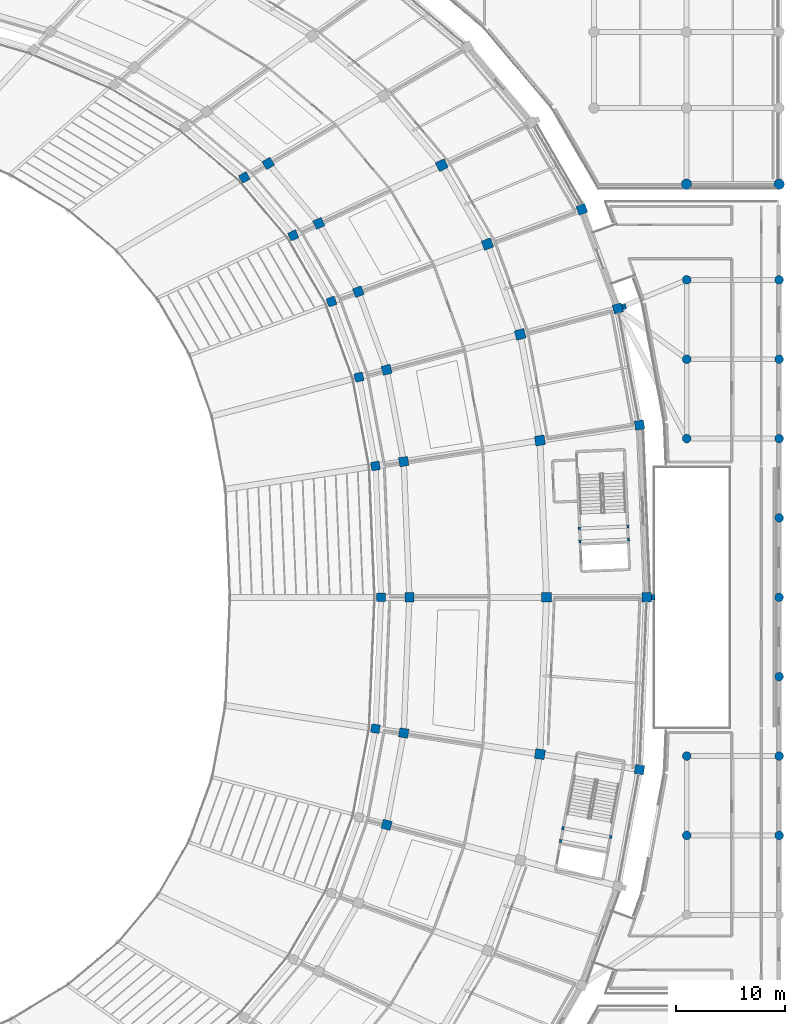
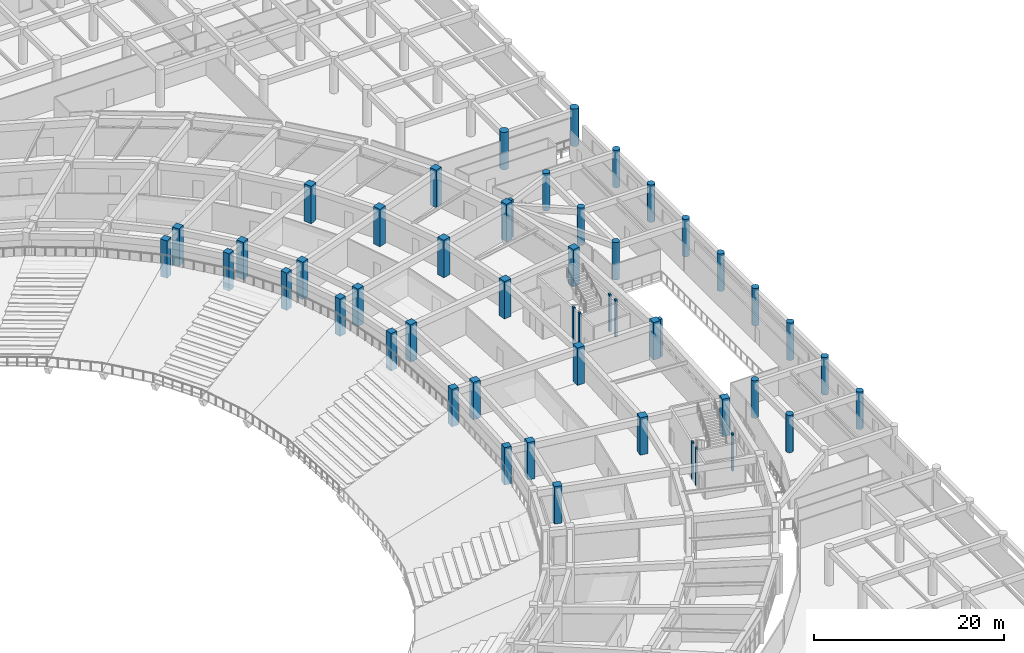
# One storey, part 6 of 152: 50 columns.
"""IFC4 building model written with IfcOpenShell, lengths in metres."""

from ifc_helpers import new_model, si_unit, direction, frame, origin, origin_2d, place, context, subcontext, project, spatial, rectangle, circle, extrude, material, material_profile, profile_set, type_object, element, save


model = new_model("IFC4")

# Units and contexts
model_context = context("Model", 3, precision=1e-05, world=origin(), true_north=direction((0.0, 1.0)))
body_context = subcontext(model_context, "Body", "Model", "MODEL_VIEW")
ifc_project = project(units=[si_unit("LENGTHUNIT", "METRE"), si_unit("AREAUNIT", "SQUARE_METRE"), si_unit("VOLUMEUNIT", "CUBIC_METRE"), si_unit("PLANEANGLEUNIT", "RADIAN"), si_unit("MASSUNIT", "GRAM", prefix="KILO")], contexts=[model_context])

# Site, building, storey
site_placement = place(None, origin())
site = spatial("IfcSite", under=ifc_project, at=site_placement, CompositionType="ELEMENT")
building_placement = place(site_placement, origin())
building = spatial("IfcBuilding", under=site, at=building_placement, Name="Mphavela Belvedere Stadium", CompositionType="ELEMENT")
storey_placement = place(building_placement, frame((0.0, 0.0, 5.39990234375)))
storey = spatial("IfcBuildingStorey", under=building, at=storey_placement, Name="L01", CompositionType="ELEMENT", Elevation=5.39990234375)

# Columns
ifc_material_1 = material(Name="Concrete C40/50", Category="concrete")
ifc_material_profile_1 = material_profile(ifc_material_1, rectangle(XDim=0.300048828125, YDim=0.219970703125, at=origin_2d()), Name="RC 300x220")
ifc_profile_set_1 = profile_set([ifc_material_profile_1], Name="Concrete C40/50")
column_type_1 = type_object("IfcColumnType", Name="COL-CORE-POST-300", PredefinedType="COLUMN", material=ifc_profile_set_1)
for number, where, z_axis, x_axis, name in (
    (1, (211.632080078125, 93.325439453125, 0.0), (0.0, 0.0, 1.0), (0.041875653729, -0.999122830099, 0.0), "Core C01 stair frame column L01-1"),
    (2, (211.682373046875, 92.12646484375, 0.0), (0.0, 0.0, 1.0), (0.041875653729, -0.999122830099, 0.0), "Core C01 stair frame column L01-2"),
    (3, (216.1484375, 92.313720703125, 0.0), (0.0, 0.0, 1.0), (0.041875653729, -0.999122830099, 0.0), "Core C01 stair frame column L01-3"),
    (4, (216.09814453125, 93.5126953125, 0.0), (0.0, 0.0, 1.0), (0.041875653729, -0.999122830099, 0.0), "Core C01 stair frame column L01-4"),
    (5, (210.11376953125, 65.7646484375, 0.0), (0.0, 0.0, 1.0), (-0.182578735093, -0.983191235463, 0.0), "Core C12 stair frame column L01-1"),
    (6, (209.894775390625, 64.584716796875, 0.0), (0.0, 0.0, 1.0), (-0.182578735093, -0.983191235463, 0.0), "Core C12 stair frame column L01-2"),
    (7, (214.508544921875, 64.948486328125, 0.0), (0.0, 0.0, 1.0), (-0.182578735093, -0.983191235463, 0.0), "Core C12 stair frame column L01-4"),
):
    element("IfcColumn", number, at=place(storey_placement, frame(where, z_axis=z_axis, x_axis=x_axis)), inside=storey, type_object=column_type_1, Name=name, PredefinedType="COLUMN", context=body_context, shape_type="SweptSolid", body=[
        extrude(rectangle(XDim=0.300048828125, YDim=0.219970703125, at=origin_2d()), origin(), (0.0, 0.0, 1.0), 4.800048828125),
    ])
ifc_material_2 = material(Name="Concrete C40/50", Category="concrete")
ifc_material_profile_2 = material_profile(ifc_material_2, circle(Radius=0.47509765625, at=origin_2d()), Name="COL D950")
ifc_profile_set_2 = profile_set([ifc_material_profile_2], Name="Concrete C40/50")
column_type_2 = type_object("IfcColumnType", Name="COL-DORIC-950", PredefinedType="COLUMN", material=ifc_profile_set_2)
for number, where, z_axis, x_axis, name in (
    (8, (221.48095703125, 125.0, 0.0), (0.0, 0.0, 1.0), (1.0, 0.0, 0.0), "North Mast and Ceremonial End Forecourt classical column L01 27-1"),
    (9, (230.0, 125.0, 0.0), (0.0, 0.0, 1.0), (1.0, 0.0, 0.0), "North Mast and Ceremonial End Forecourt classical column L01 28-1"),
):
    element("IfcColumn", number, at=place(storey_placement, frame(where, z_axis=z_axis, x_axis=x_axis)), inside=storey, type_object=column_type_2, Name=name, PredefinedType="COLUMN", context=body_context, shape_type="SweptSolid", body=[
        extrude(circle(Radius=0.47509765625, at=origin_2d()), origin(), (0.0, 0.0, 1.0), 4.800048828125),
    ])
ifc_material_3 = material(Name="Concrete C40/50", Category="concrete")
ifc_material_profile_3 = material_profile(ifc_material_3, circle(Radius=0.39990234375, at=origin_2d()), Name="COL D800")
ifc_profile_set_3 = profile_set([ifc_material_profile_3], Name="Concrete C40/50")
column_type_3 = type_object("IfcColumnType", Name="COL-PERISTYLE-800", PredefinedType="COLUMN", material=ifc_profile_set_3)
for number, where, z_axis, x_axis, name in (
    (10, (221.5, 65.10009765625, 0.0), (0.0, 0.0, 1.0), (1.0, 0.0, 0.0), "East Planted Eaves Peristyle Colonnade classical column L01 8-3"),
    (11, (221.5, 72.39990234375, 0.0), (0.0, 0.0, 1.0), (1.0, 0.0, 0.0), "East Planted Eaves Peristyle Colonnade classical column L01 8-4"),
    (12, (221.5, 101.60009765625, 0.0), (0.0, 0.0, 1.0), (1.0, 0.0, 0.0), "East Planted Eaves Peristyle Colonnade classical column L01 8-8"),
    (13, (221.5, 108.89990234375, 0.0), (0.0, 0.0, 1.0), (1.0, 0.0, 0.0), "East Planted Eaves Peristyle Colonnade classical column L01 8-9"),
    (14, (221.5, 116.199951171875, 0.0), (0.0, 0.0, 1.0), (1.0, 0.0, 0.0), "East Planted Eaves Peristyle Colonnade classical column L01 8-10"),
    (15, (230.0, 65.10009765625, 0.0), (0.0, 0.0, 1.0), (1.0, 0.0, 0.0), "East Planted Eaves Peristyle Colonnade classical column L01 9-3"),
    (16, (230.0, 72.39990234375, 0.0), (0.0, 0.0, 1.0), (1.0, 0.0, 0.0), "East Planted Eaves Peristyle Colonnade classical column L01 9-4"),
    (17, (230.0, 79.699951171875, 0.0), (0.0, 0.0, 1.0), (1.0, 0.0, 0.0), "East Planted Eaves Peristyle Colonnade classical column L01 9-5"),
    (18, (230.0, 87.0, 0.0), (0.0, 0.0, 1.0), (1.0, 0.0, 0.0), "East Planted Eaves Peristyle Colonnade classical column L01 9-6"),
    (19, (230.0, 94.300048828125, 0.0), (0.0, 0.0, 1.0), (1.0, 0.0, 0.0), "East Planted Eaves Peristyle Colonnade classical column L01 9-7"),
    (20, (230.0, 101.60009765625, 0.0), (0.0, 0.0, 1.0), (1.0, 0.0, 0.0), "East Planted Eaves Peristyle Colonnade classical column L01 9-8"),
    (21, (230.0, 108.89990234375, 0.0), (0.0, 0.0, 1.0), (1.0, 0.0, 0.0), "East Planted Eaves Peristyle Colonnade classical column L01 9-9"),
    (22, (230.0, 116.199951171875, 0.0), (0.0, 0.0, 1.0), (1.0, 0.0, 0.0), "East Planted Eaves Peristyle Colonnade classical column L01 9-10"),
):
    element("IfcColumn", number, at=place(storey_placement, frame(where, z_axis=z_axis, x_axis=x_axis)), inside=storey, type_object=column_type_3, Name=name, PredefinedType="COLUMN", context=body_context, shape_type="SweptSolid", body=[
        extrude(circle(Radius=0.39990234375, at=origin_2d()), origin(), (0.0, 0.0, 1.0), 4.800048828125),
    ])
ifc_material_4 = material(Name="Concrete C40/50", Category="concrete")
ifc_material_profile_4 = material_profile(ifc_material_4, rectangle(XDim=0.800048828125, YDim=0.800048828125, at=origin_2d()), Name="RC 800x800")
ifc_profile_set_4 = profile_set([ifc_material_profile_4], Name="Concrete C40/50")
column_type_4 = type_object("IfcColumnType", Name="COL-RC800", PredefinedType="COLUMN", material=ifc_profile_set_4)
for number, where, z_axis, x_axis, name in (
    (23, (193.3759765625, 87.0, 0.0), (0.0, 0.0, 1.0), (1.0, 0.0, 0.0), "Inner concourse column L01 R1-01"),
    (24, (192.869384765625, 99.078125, 0.0), (0.0, 0.0, 1.0), (0.98817491911, 0.153330783737, 0.0), "Inner concourse column L01 R1-02"),
    (25, (191.351806640625, 107.24755859375, 0.0), (0.0, 0.0, 1.0), (0.966600102017, 0.256289373133, 0.0), "Inner concourse column L01 R1-03"),
    (26, (188.829833984375, 114.19921875, 0.0), (0.0, 0.0, 1.0), (0.938372433776, 0.34562577382, 0.0), "Inner concourse column L01 R1-04"),
    (27, (185.31298828125, 120.281494140625, 0.0), (0.0, 0.0, 1.0), (0.903858661687, 0.4278311813, 0.0), "Inner concourse column L01 R1-05"),
    (28, (180.8125, 125.611328125, 0.0), (0.0, 0.0, 1.0), (0.862513669207, 0.506033764121, 0.0), "Inner concourse column L01 R1-06"),
    (29, (192.869384765625, 74.921875, 0.0), (0.0, 0.0, 1.0), (0.98817491911, -0.153330783737, 0.0), "Inner concourse column L01 R1-48"),
):
    element("IfcColumn", number, at=place(storey_placement, frame(where, z_axis=z_axis, x_axis=x_axis)), inside=storey, type_object=column_type_4, Name=name, PredefinedType="COLUMN", context=body_context, shape_type="SweptSolid", body=[
        extrude(rectangle(XDim=0.800048828125, YDim=0.800048828125, at=origin_2d()), origin(), (0.0, 0.0, 1.0), 4.800048828125),
    ])
ifc_material_5 = material(Name="Concrete C40/50", Category="concrete")
ifc_material_profile_5 = material_profile(ifc_material_5, rectangle(XDim=0.85009765625, YDim=0.85009765625, at=origin_2d()), Name="RC 850x850")
ifc_profile_set_5 = profile_set([ifc_material_profile_5], Name="Concrete C40/50")
column_type_5 = type_object("IfcColumnType", Name="COL-RC850", PredefinedType="COLUMN", material=ifc_profile_set_5)
for number, where, z_axis, x_axis, name in (
    (30, (195.9951171875, 87.0, 0.0), (0.0, 0.0, 1.0), (1.0, 0.0, 0.0), "Middle concourse column L01 R2-01"),
    (31, (217.820068359375, 87.0, 0.0), (0.0, 0.0, 1.0), (1.0, 0.0, 0.0), "Outer colonnade column L01 R4-01"),
    (32, (195.471435546875, 99.481689453125, 0.0), (0.0, 0.0, 1.0), (0.98817491911, 0.153330783737, 0.0), "Middle concourse column L01 R2-02"),
    (33, (217.155517578125, 102.844970703125, 0.0), (0.0, 0.0, 1.0), (0.98817491911, 0.153330783737, 0.0), "Outer colonnade column L01 R4-02"),
    (34, (193.9033203125, 107.92431640625, 0.0), (0.0, 0.0, 1.0), (0.966600102017, 0.256289373133, 0.0), "Middle concourse column L01 R2-03"),
    (35, (215.16455078125, 113.5625, 0.0), (0.0, 0.0, 1.0), (0.966600102017, 0.256289373133, 0.0), "Outer colonnade column L01 R4-03"),
    (36, (191.297119140625, 115.108154296875, 0.0), (0.0, 0.0, 1.0), (0.938372433776, 0.34562577382, 0.0), "Middle concourse column L01 R2-04"),
    (37, (211.856201171875, 122.682373046875, 0.0), (0.0, 0.0, 1.0), (0.938372433776, 0.34562577382, 0.0), "Outer colonnade column L01 R4-04"),
    (38, (187.66259765625, 121.393798828125, 0.0), (0.0, 0.0, 1.0), (0.903858661687, 0.4278311813, 0.0), "Middle concourse column L01 R2-05"),
    (39, (183.01171875, 126.901611328125, 0.0), (0.0, 0.0, 1.0), (0.862513669207, 0.506033764121, 0.0), "Middle concourse column L01 R2-06"),
    (40, (193.9033203125, 66.07568359375, 0.0), (0.0, 0.0, 1.0), (0.966600102017, -0.256289373133, 0.0), "Middle concourse column L01 R2-47"),
    (41, (195.471435546875, 74.518310546875, 0.0), (0.0, 0.0, 1.0), (0.98817491911, -0.153330783737, 0.0), "Middle concourse column L01 R2-48"),
    (42, (217.155517578125, 71.155029296875, 0.0), (0.0, 0.0, 1.0), (0.98817491911, -0.153330783737, 0.0), "Outer colonnade column L01 R4-48"),
):
    element("IfcColumn", number, at=place(storey_placement, frame(where, z_axis=z_axis, x_axis=x_axis)), inside=storey, type_object=column_type_5, Name=name, PredefinedType="COLUMN", context=body_context, shape_type="SweptSolid", body=[
        extrude(rectangle(XDim=0.85009765625, YDim=0.85009765625, at=origin_2d()), origin(), (0.0, 0.0, 1.0), 4.800048828125),
    ])
ifc_material_6 = material(Name="Concrete C40/50", Category="concrete")
ifc_material_profile_6 = material_profile(ifc_material_6, rectangle(XDim=0.89990234375, YDim=0.89990234375, at=origin_2d()), Name="RC 900x900")
ifc_profile_set_6 = profile_set([ifc_material_profile_6], Name="Concrete C40/50")
column_type_6 = type_object("IfcColumnType", Name="COL-RC900", PredefinedType="COLUMN", material=ifc_profile_set_6)
for number, where, z_axis, x_axis, name in (
    (43, (208.60498046875, 87.0, 0.0), (0.0, 0.0, 1.0), (1.0, 0.0, 0.0), "Main bowl column L01 R3-01"),
    (44, (208.0, 101.4248046875, 0.0), (0.0, 0.0, 1.0), (0.98817491911, 0.153330783737, 0.0), "Main bowl column L01 R3-02"),
    (45, (206.1875, 111.181884765625, 0.0), (0.0, 0.0, 1.0), (0.966600102017, 0.256289373133, 0.0), "Main bowl column L01 R3-03"),
    (46, (203.175537109375, 119.484375, 0.0), (0.0, 0.0, 1.0), (0.938372433776, 0.34562577382, 0.0), "Main bowl column L01 R3-04"),
    (47, (198.9755859375, 126.748291015625, 0.0), (0.0, 0.0, 1.0), (0.903858661687, 0.4278311813, 0.0), "Main bowl column L01 R3-05"),
    (48, (208.0, 72.5751953125, 0.0), (0.0, 0.0, 1.0), (0.98817491911, -0.153330783737, 0.0), "Main bowl column L01 R3-48"),
):
    element("IfcColumn", number, at=place(storey_placement, frame(where, z_axis=z_axis, x_axis=x_axis)), inside=storey, type_object=column_type_6, Name=name, PredefinedType="COLUMN", context=body_context, shape_type="SweptSolid", body=[
        extrude(rectangle(XDim=0.89990234375, YDim=0.89990234375, at=origin_2d()), origin(), (0.0, 0.0, 1.0), 4.800048828125),
    ])
ifc_material_7 = material(Name="Concrete C40/50", Category="concrete")
ifc_material_profile_7 = material_profile(ifc_material_7, rectangle(XDim=0.5, YDim=0.35009765625, at=origin_2d()), Name="PIL 500x350")
ifc_profile_set_7 = profile_set([ifc_material_profile_7], Name="Concrete C40/50")
column_type_7 = type_object("IfcColumnType", Name="PIL-FLUTED-500", PredefinedType="PILASTER", material=ifc_profile_set_7)
for number, where, z_axis, x_axis, name in (
    (49, (218.423095703125, 87.0, 0.0), (0.0, 0.0, 1.0), (0.0, 1.0, 0.0), "Fluted classical pilaster L01-01"),
    (50, (215.74755859375, 113.717041015625, 0.0), (0.0, 0.0, 1.0), (-0.256289373133, 0.966600102017, 0.0), "Fluted classical pilaster L01-03"),
):
    element("IfcColumn", number, at=place(storey_placement, frame(where, z_axis=z_axis, x_axis=x_axis)), inside=storey, type_object=column_type_7, Name=name, PredefinedType="PILASTER", context=body_context, shape_type="SweptSolid", body=[
        extrude(rectangle(XDim=0.5, YDim=0.35009765625, at=origin_2d()), origin(), (0.0, 0.0, 1.0), 4.800048828125),
    ])

save(model, "model.ifc")
